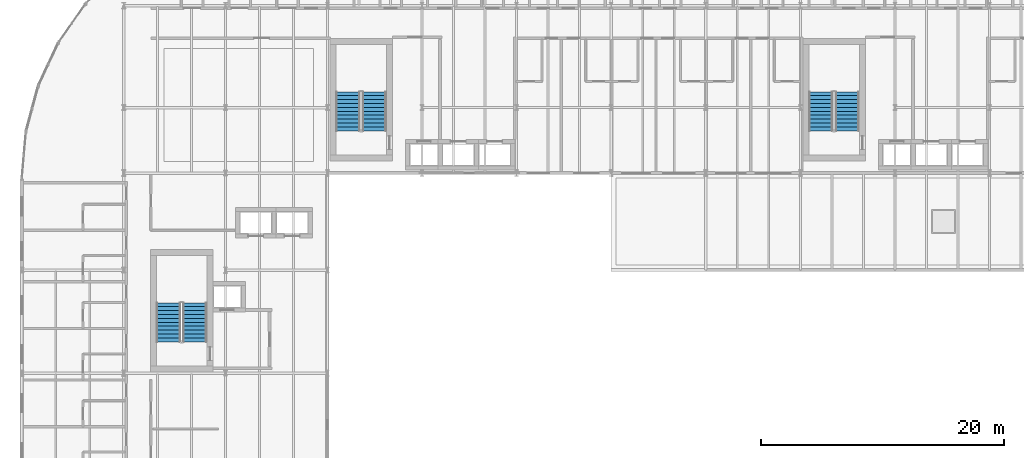
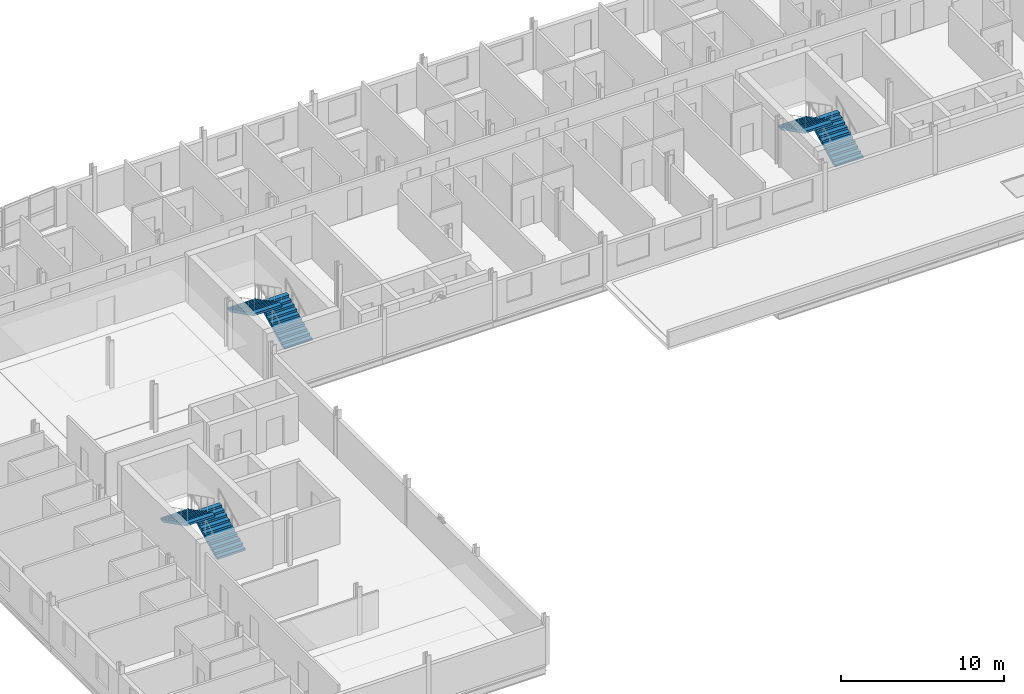
# One storey, part 32 of 36: 6 stair flights, 3 elements without a shape of their own.
"""IFC4 building model written with IfcOpenShell, lengths in metres."""

import ifcopenshell
import ifcopenshell.guid

model = None  # the IFC model being written
_history = None  # IfcOwnerHistory: only IFC2X3 demands one
_inside = {}  # id of a spatial element -> (the spatial element, [elements in it])
_under = {}  # id of a project, library or spatial element -> (it, [spatial elements below it])
_declared = {}  # id of a project -> (the project, [libraries it declares])
_typed = {}  # id of a type object -> (the type object, [elements of that type])
_made_of = {}  # id of a material, layer set ... -> (it, [elements and type objects made of it])


def new_model(schema):
    """Start an empty IFC model of exactly this schema.

    Asked for "IFC4X3", IfcOpenShell would pick the latest addendum, in which some entities
    have other attributes; the version numbers below select the first issue.
    IFC2X3 requires an IfcOwnerHistory on every rooted entity: one is made here for all.
    """
    global model, _history
    if schema == "IFC4X3":
        model = ifcopenshell.file(schema_version=(4, 3, 0, 0))
    else:
        model = ifcopenshell.file(schema=schema)
    _inside.clear()
    _under.clear()
    _declared.clear()
    _typed.clear()
    _made_of.clear()
    _history = None
    if model.schema == "IFC2X3":
        org = make("IfcOrganization", Name="unknown")
        user = make(
            "IfcPersonAndOrganization",
            ThePerson=make("IfcPerson", FamilyName="unknown"),
            TheOrganization=org,
        )
        app = make(
            "IfcApplication",
            ApplicationDeveloper=org,
            Version="unknown",
            ApplicationFullName="unknown",
            ApplicationIdentifier="unknown",
        )
        _history = make(
            "IfcOwnerHistory",
            OwningUser=user,
            OwningApplication=app,
            ChangeAction="ADDED",
            CreationDate=0,
        )
    return model


def make(cls, **values):
    """One entity of the class cls with the attributes given. An attribute that is None is left unset."""
    return model.create_entity(
        cls, **{name: value for name, value in values.items() if value is not None}
    )


def rooted(cls, **values):
    """An entity with a GlobalId (a new one), such as an element, a storey or a relation."""
    return make(cls, GlobalId=ifcopenshell.guid.new(), OwnerHistory=_history, **values)


def si_unit(unit_type, name, prefix=None):
    """IfcSIUnit, for example si_unit("LENGTHUNIT", "METRE", prefix="MILLI")."""
    return make("IfcSIUnit", UnitType=unit_type, Prefix=prefix, Name=name)


def assignment(units):
    """IfcUnitAssignment: the units of a project."""
    return None if units is None else make("IfcUnitAssignment", Units=units)


def point(xyz):
    """IfcCartesianPoint."""
    return None if xyz is None else make("IfcCartesianPoint", Coordinates=xyz)


def direction(xyz):
    """IfcDirection."""
    return None if xyz is None else make("IfcDirection", DirectionRatios=xyz)


def frame(location, z_axis=None, x_axis=None):
    """IfcAxis2Placement3D, a coordinate frame: its origin and axes. An axis left out is left unset."""
    return make(
        "IfcAxis2Placement3D",
        Location=point(location),
        Axis=direction(z_axis),
        RefDirection=direction(x_axis),
    )


def origin():
    """The frame at (0, 0, 0) with its axes left unset."""
    return frame((0.0, 0.0, 0.0))


def place(relative_to, where):
    """IfcLocalPlacement: puts the frame where relative to a parent placement (None: the world)."""
    return make(
        "IfcLocalPlacement", PlacementRelTo=relative_to, RelativePlacement=where
    )


def context(
    kind, dimensions, precision=None, world=None, true_north=None, identifier=None
):
    """IfcGeometricRepresentationContext, for example the 3D "Model" context."""
    return make(
        "IfcGeometricRepresentationContext",
        ContextIdentifier=identifier,
        ContextType=kind,
        CoordinateSpaceDimension=dimensions,
        Precision=precision,
        WorldCoordinateSystem=world,
        TrueNorth=true_north,
    )


def subcontext(parent, identifier, kind, view, scale=None):
    """IfcGeometricRepresentationSubContext, for example "Body" below "Model"."""
    return make(
        "IfcGeometricRepresentationSubContext",
        ContextIdentifier=identifier,
        ContextType=kind,
        ParentContext=parent,
        TargetScale=scale,
        TargetView=view,
    )


def project(units=None, contexts=None):
    """IfcProject with its units and contexts."""
    return rooted(
        "IfcProject",
        Name="project",
        RepresentationContexts=contexts,
        UnitsInContext=assignment(units),
    )


def spatial(cls, under=None, at=None, **own):
    """A site, building, storey or space (cls), placed at a placement, below another one or the project."""
    s = rooted(cls, ObjectPlacement=at, **own)
    if under is not None:
        _under.setdefault(under.id(), (under, []))[1].append(s)
    return s


def polyline(points):
    """IfcPolyline through the points."""
    return make("IfcPolyline", Points=[point(p) for p in points])


def outline(outer, holes=None, kind="AREA"):
    """IfcArbitraryClosedProfileDef: a profile drawn as a closed curve; with holes, ...WithVoids."""
    if holes is None:
        return make("IfcArbitraryClosedProfileDef", ProfileType=kind, OuterCurve=outer)
    return make(
        "IfcArbitraryProfileDefWithVoids",
        ProfileType=kind,
        OuterCurve=outer,
        InnerCurves=holes,
    )


def extrude(swept, where, along, depth):
    """IfcExtrudedAreaSolid: the profile swept, set in the frame where, extruded along a direction by depth."""
    return make(
        "IfcExtrudedAreaSolid",
        SweptArea=swept,
        Position=where,
        ExtrudedDirection=direction(along),
        Depth=depth,
    )


def shape(context_of_items, identifier, shape_type, items):
    """IfcShapeRepresentation: the items that make up one representation, for example the "Body"."""
    return make(
        "IfcShapeRepresentation",
        ContextOfItems=context_of_items,
        RepresentationIdentifier=identifier,
        RepresentationType=shape_type,
        Items=items,
    )


def material(Name=None, Category=None):
    """IfcMaterial."""
    return make("IfcMaterial", Name=Name, Category=Category)


def made_of(thing, what):
    """Note that an element or type object is made of a material, layer set ...; save() writes the relation."""
    if what is not None:
        _made_of.setdefault(what.id(), (what, []))[1].append(thing)
    return thing


def type_object(cls, material=None, **own):
    """A type object (cls), such as IfcWallType, which elements share."""
    return made_of(rooted(cls, **own), material)


def element(
    cls,
    number,
    at=None,
    inside=None,
    cuts=None,
    type_object=None,
    material=None,
    context=None,
    identifier="Body",
    shape_type=None,
    held_by="IfcProductDefinitionShape",
    body=None,
    shapes=None,
    **own,
):
    """One element of the class cls, such as IfcWall. Its Tag is "e" and its number.

    at: its placement. inside: the storey or other place that contains it. cuts: it is an
    opening in that element (IfcRelVoidsElement). A single representation is given by context,
    identifier, shape_type and body (its items); several are given by shapes. held_by: the class
    of the entity that holds the representations. save() writes the other relations.
    """
    e = rooted(cls, Tag="e%d" % number, ObjectPlacement=at, **own)
    if body is not None:
        shapes = [shape(context, identifier, shape_type, body)]
    if shapes is not None:
        e.Representation = make(held_by, Representations=shapes)
    if inside is not None:
        _inside.setdefault(inside.id(), (inside, []))[1].append(e)
    if cuts is not None:
        rooted(
            "IfcRelVoidsElement", RelatingBuildingElement=cuts, RelatedOpeningElement=e
        )
    if type_object is not None:
        _typed.setdefault(type_object.id(), (type_object, []))[1].append(e)
    return made_of(e, material)


def aggregate(whole, parts):
    """IfcRelAggregates: a whole, such as a stair, and the parts it consists of."""
    return rooted("IfcRelAggregates", RelatingObject=whole, RelatedObjects=parts)


def save(model, path):
    """Write the relations noted so far, then the file.

    IfcRelAggregates (storeys below a building ...), IfcRelContainedInSpatialStructure (elements
    in a storey), IfcRelDefinesByType, IfcRelAssociatesMaterial and IfcRelDeclares: one each for
    every whole, place, type object, material and project.
    """
    for whole, parts in _under.values():
        aggregate(whole, parts)
    for where, things in _inside.values():
        rooted(
            "IfcRelContainedInSpatialStructure",
            RelatedElements=things,
            RelatingStructure=where,
        )
    for kind, things in _typed.values():
        rooted("IfcRelDefinesByType", RelatedObjects=things, RelatingType=kind)
    for what, things in _made_of.values():
        rooted("IfcRelAssociatesMaterial", RelatedObjects=things, RelatingMaterial=what)
    for by, libraries in _declared.values():
        rooted("IfcRelDeclares", RelatingContext=by, RelatedDefinitions=libraries)
    model.write(path)


model = new_model("IFC4")

# Units and contexts
model_context = context("Model", 3, precision=1e-05, world=origin(), true_north=direction((0.0, 1.0)))
body_context = subcontext(model_context, "Body", "Model", "MODEL_VIEW")
ifc_project = project(units=[si_unit("LENGTHUNIT", "METRE"), si_unit("AREAUNIT", "SQUARE_METRE"), si_unit("VOLUMEUNIT", "CUBIC_METRE"), si_unit("PLANEANGLEUNIT", "RADIAN"), si_unit("MASSUNIT", "GRAM", prefix="KILO")], contexts=[model_context])

# Site, building, storey
site_placement = place(None, origin())
site = spatial("IfcSite", under=ifc_project, at=site_placement, CompositionType="ELEMENT")
building_placement = place(site_placement, origin())
building = spatial("IfcBuilding", under=site, at=building_placement, Name="Sefraquen Railside Congress Hotel", CompositionType="ELEMENT")
storey_placement = place(building_placement, frame((0.0, 0.0, 24.60009765625)))
storey = spatial("IfcBuildingStorey", under=building, at=storey_placement, Name="L05", CompositionType="ELEMENT", Elevation=24.60009765625)

# Stair, stair flights
ifc_material = material(Name="Concrete C40/50", Category="concrete")
stair_type_1 = type_object("IfcStairType", Name="TST-DOG-198-360", PredefinedType="HALF_TURN_STAIR", material=ifc_material)
stair_1_placement = place(storey_placement, origin())
stair_1 = element("IfcStair", 1, at=stair_1_placement, inside=storey, type_object=stair_type_1, Name="L05 Pressurized escape stair ST-H01", PredefinedType="HALF_TURN_STAIR")
stair_flight_type_1 = type_object("IfcStairFlightType", Name="TSF-FLT-198-360", PredefinedType="STRAIGHT", material=ifc_material)
stair_flight_1_placement = place(storey_placement, frame((14.27001953125, 82.080078125, 0.0), z_axis=(0.0, 0.0, 1.0), x_axis=(0.0, 1.0, 0.0)))
stair_flight_1 = element("IfcStairFlight", 2, at=stair_flight_1_placement, type_object=stair_flight_type_1, Name="ST-H01 flight 1", NumberOfRisers=11, NumberOfTreads=10, PredefinedType="STRAIGHT", RiserHeight=0.163636364, TreadLength=0.322, context=body_context, shape_type="SweptSolid", body=[
    extrude(outline(polyline([(0.0, 0.0), (0.0, 0.16357421875), (0.322021484375, 0.16357421875), (0.322021484375, 0.327392578125), (0.64404296875, 0.327392578125), (0.64404296875, 0.490966796875), (0.966064453125, 0.490966796875), (0.966064453125, 0.654541015625), (1.2880859375, 0.654541015625), (1.2880859375, 0.818115234375), (1.610107421875, 0.818115234375), (1.610107421875, 0.98193359375), (1.931884765625, 0.98193359375), (1.931884765625, 1.1455078125), (2.25390625, 1.1455078125), (2.25390625, 1.30908203125), (2.575927734375, 1.30908203125), (2.575927734375, 1.47265625), (2.89794921875, 1.47265625), (2.89794921875, 1.636474609375), (3.219970703125, 1.636474609375), (3.219970703125, 1.800048828125), (3.219970703125, 1.46826171875), (0.330810546875, 0.0), (0.0, 0.0)])), frame((0.0, 0.989990234375, 0.0), z_axis=(0.0, -1.0, 0.0), x_axis=(1.0, 0.0, 0.0)), (0.0, 0.0, 1.0), 1.97998046875),
])
stair_flight_2_placement = place(storey_placement, frame((12.090087890625, 85.300048828125, 1.7998046875), z_axis=(0.0, 0.0, 1.0), x_axis=(0.0, -1.0, 0.0)))
stair_flight_2 = element("IfcStairFlight", 3, at=stair_flight_2_placement, type_object=stair_flight_type_1, Name="ST-H01 flight 2", NumberOfRisers=11, NumberOfTreads=10, PredefinedType="STRAIGHT", RiserHeight=0.163636364, TreadLength=0.322, context=body_context, shape_type="SweptSolid", body=[
    extrude(outline(polyline([(0.0, 0.0), (0.0, 0.16357421875), (0.322021484375, 0.16357421875), (0.322021484375, 0.327392578125), (0.64404296875, 0.327392578125), (0.64404296875, 0.490966796875), (0.966064453125, 0.490966796875), (0.966064453125, 0.654541015625), (1.2880859375, 0.654541015625), (1.2880859375, 0.818115234375), (1.610107421875, 0.818115234375), (1.610107421875, 0.98193359375), (1.931884765625, 0.98193359375), (1.931884765625, 1.1455078125), (2.25390625, 1.1455078125), (2.25390625, 1.30908203125), (2.575927734375, 1.30908203125), (2.575927734375, 1.47265625), (2.89794921875, 1.47265625), (2.89794921875, 1.636474609375), (3.219970703125, 1.636474609375), (3.219970703125, 1.800048828125), (3.219970703125, 1.46826171875), (0.330810546875, 0.0), (0.0, 0.0)])), frame((0.0, 0.989990234375, 0.0), z_axis=(0.0, -1.0, 0.0), x_axis=(1.0, 0.0, 0.0)), (0.0, 0.0, 1.0), 1.97998046875),
])
aggregate(stair_1, [stair_flight_1, stair_flight_2])

stair_type_2 = type_object("IfcStairType", Name="TST-DOG-198-420", PredefinedType="HALF_TURN_STAIR", material=ifc_material)
stair_2_placement = place(storey_placement, origin())
stair_2 = element("IfcStair", 4, at=stair_2_placement, inside=storey, type_object=stair_type_2, Name="L05 Pressurized escape stair ST-H02", PredefinedType="HALF_TURN_STAIR")
stair_flight_type_2 = type_object("IfcStairFlightType", Name="TSF-FLT-198-420", PredefinedType="STRAIGHT", material=ifc_material)
stair_flight_3_placement = place(storey_placement, frame((29.070068359375, 99.47998046875, 0.0), z_axis=(0.0, 0.0, 1.0), x_axis=(0.0, 1.0, 0.0)))
stair_flight_3 = element("IfcStairFlight", 5, at=stair_flight_3_placement, type_object=stair_flight_type_2, Name="ST-H02 flight 1", NumberOfRisers=11, NumberOfTreads=10, PredefinedType="STRAIGHT", RiserHeight=0.163636364, TreadLength=0.322, context=body_context, shape_type="SweptSolid", body=[
    extrude(outline(polyline([(0.0, 0.0), (0.0, 0.16357421875), (0.322021484375, 0.16357421875), (0.322021484375, 0.327392578125), (0.64404296875, 0.327392578125), (0.64404296875, 0.490966796875), (0.966064453125, 0.490966796875), (0.966064453125, 0.654541015625), (1.2880859375, 0.654541015625), (1.2880859375, 0.818115234375), (1.610107421875, 0.818115234375), (1.610107421875, 0.98193359375), (1.931884765625, 0.98193359375), (1.931884765625, 1.1455078125), (2.25390625, 1.1455078125), (2.25390625, 1.30908203125), (2.575927734375, 1.30908203125), (2.575927734375, 1.47265625), (2.89794921875, 1.47265625), (2.89794921875, 1.636474609375), (3.219970703125, 1.636474609375), (3.219970703125, 1.800048828125), (3.219970703125, 1.46826171875), (0.330810546875, 0.0), (0.0, 0.0)])), frame((0.0, 0.989990234375, 0.0), z_axis=(0.0, -1.0, 0.0), x_axis=(1.0, 0.0, 0.0)), (0.0, 0.0, 1.0), 1.97998046875),
])
stair_flight_4_placement = place(storey_placement, frame((26.889892578125, 102.699951171875, 1.7998046875), z_axis=(0.0, 0.0, 1.0), x_axis=(0.0, -1.0, 0.0)))
stair_flight_4 = element("IfcStairFlight", 6, at=stair_flight_4_placement, type_object=stair_flight_type_2, Name="ST-H02 flight 2", NumberOfRisers=11, NumberOfTreads=10, PredefinedType="STRAIGHT", RiserHeight=0.163636364, TreadLength=0.322, context=body_context, shape_type="SweptSolid", body=[
    extrude(outline(polyline([(0.0, 0.0), (0.0, 0.16357421875), (0.322021484375, 0.16357421875), (0.322021484375, 0.327392578125), (0.64404296875, 0.327392578125), (0.64404296875, 0.490966796875), (0.966064453125, 0.490966796875), (0.966064453125, 0.654541015625), (1.2880859375, 0.654541015625), (1.2880859375, 0.818115234375), (1.610107421875, 0.818115234375), (1.610107421875, 0.98193359375), (1.931884765625, 0.98193359375), (1.931884765625, 1.1455078125), (2.25390625, 1.1455078125), (2.25390625, 1.30908203125), (2.575927734375, 1.30908203125), (2.575927734375, 1.47265625), (2.89794921875, 1.47265625), (2.89794921875, 1.636474609375), (3.219970703125, 1.636474609375), (3.219970703125, 1.800048828125), (3.219970703125, 1.46826171875), (0.330810546875, 0.0), (0.0, 0.0)])), frame((0.0, 0.989990234375, 0.0), z_axis=(0.0, -1.0, 0.0), x_axis=(1.0, 0.0, 0.0)), (0.0, 0.0, 1.0), 1.97998046875),
])
aggregate(stair_2, [stair_flight_3, stair_flight_4])

stair_type_3 = type_object("IfcStairType", Name="TST-DOG-198-450", PredefinedType="HALF_TURN_STAIR", material=ifc_material)
stair_3_placement = place(storey_placement, origin())
stair_3 = element("IfcStair", 7, at=stair_3_placement, inside=storey, type_object=stair_type_3, Name="L05 Pressurized escape stair ST-H03", PredefinedType="HALF_TURN_STAIR")
stair_flight_type_3 = type_object("IfcStairFlightType", Name="TSF-FLT-198-450", PredefinedType="STRAIGHT", material=ifc_material)
stair_flight_5_placement = place(storey_placement, frame((68.070068359375, 99.47998046875, 0.0), z_axis=(0.0, 0.0, 1.0), x_axis=(0.0, 1.0, 0.0)))
stair_flight_5 = element("IfcStairFlight", 8, at=stair_flight_5_placement, type_object=stair_flight_type_3, Name="ST-H03 flight 1", NumberOfRisers=11, NumberOfTreads=10, PredefinedType="STRAIGHT", RiserHeight=0.163636364, TreadLength=0.322, context=body_context, shape_type="SweptSolid", body=[
    extrude(outline(polyline([(0.0, 0.0), (0.0, 0.16357421875), (0.322021484375, 0.16357421875), (0.322021484375, 0.327392578125), (0.64404296875, 0.327392578125), (0.64404296875, 0.490966796875), (0.966064453125, 0.490966796875), (0.966064453125, 0.654541015625), (1.2880859375, 0.654541015625), (1.2880859375, 0.818115234375), (1.610107421875, 0.818115234375), (1.610107421875, 0.98193359375), (1.931884765625, 0.98193359375), (1.931884765625, 1.1455078125), (2.25390625, 1.1455078125), (2.25390625, 1.30908203125), (2.575927734375, 1.30908203125), (2.575927734375, 1.47265625), (2.89794921875, 1.47265625), (2.89794921875, 1.636474609375), (3.219970703125, 1.636474609375), (3.219970703125, 1.800048828125), (3.219970703125, 1.46826171875), (0.330810546875, 0.0), (0.0, 0.0)])), frame((0.0, 0.989990234375, 0.0), z_axis=(0.0, -1.0, 0.0), x_axis=(1.0, 0.0, 0.0)), (0.0, 0.0, 1.0), 1.97998046875),
])
stair_flight_6_placement = place(storey_placement, frame((65.889892578125, 102.699951171875, 1.7998046875), z_axis=(0.0, 0.0, 1.0), x_axis=(0.0, -1.0, 0.0)))
stair_flight_6 = element("IfcStairFlight", 9, at=stair_flight_6_placement, type_object=stair_flight_type_3, Name="ST-H03 flight 2", NumberOfRisers=11, NumberOfTreads=10, PredefinedType="STRAIGHT", RiserHeight=0.163636364, TreadLength=0.322, context=body_context, shape_type="SweptSolid", body=[
    extrude(outline(polyline([(0.0, 0.0), (0.0, 0.16357421875), (0.322021484375, 0.16357421875), (0.322021484375, 0.327392578125), (0.64404296875, 0.327392578125), (0.64404296875, 0.490966796875), (0.966064453125, 0.490966796875), (0.966064453125, 0.654541015625), (1.2880859375, 0.654541015625), (1.2880859375, 0.818115234375), (1.610107421875, 0.818115234375), (1.610107421875, 0.98193359375), (1.931884765625, 0.98193359375), (1.931884765625, 1.1455078125), (2.25390625, 1.1455078125), (2.25390625, 1.30908203125), (2.575927734375, 1.30908203125), (2.575927734375, 1.47265625), (2.89794921875, 1.47265625), (2.89794921875, 1.636474609375), (3.219970703125, 1.636474609375), (3.219970703125, 1.800048828125), (3.219970703125, 1.46826171875), (0.330810546875, 0.0), (0.0, 0.0)])), frame((0.0, 0.989990234375, 0.0), z_axis=(0.0, -1.0, 0.0), x_axis=(1.0, 0.0, 0.0)), (0.0, 0.0, 1.0), 1.97998046875),
])
aggregate(stair_3, [stair_flight_5, stair_flight_6])

save(model, "model.ifc")
